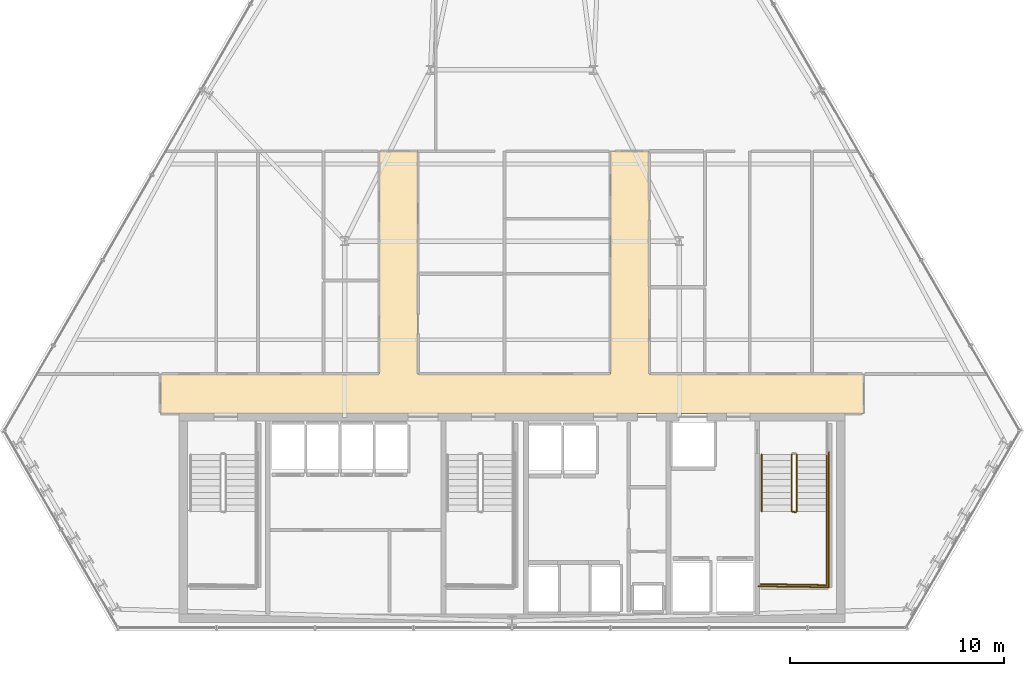
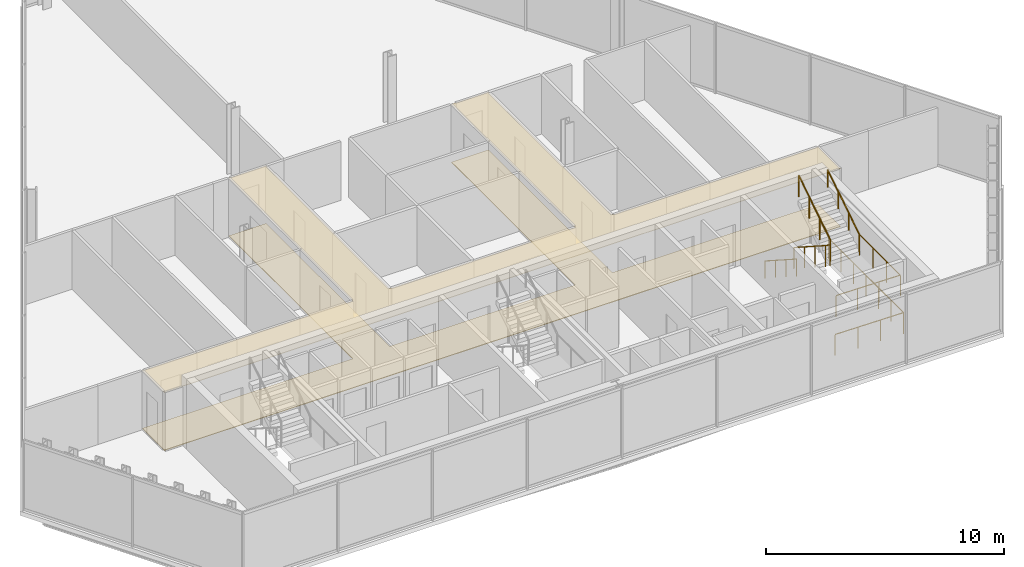
# One storey, part 32 of 33: 6 railings, 2 coverings.
"""IFC4 building model written with IfcOpenShell, lengths in metres."""

from ifc_helpers import new_model, si_unit, direction, frame, origin, origin_2d, place, context, subcontext, project, spatial, polyline, circle, outline, extrude, material, layer, layer_set, type_object, element, save


model = new_model("IFC4")

# Units and contexts
model_context = context("Model", 3, precision=1e-05, world=origin(), true_north=direction((0.0, 1.0)))
body_context = subcontext(model_context, "Body", "Model", "MODEL_VIEW")
ifc_project = project(units=[si_unit("LENGTHUNIT", "METRE"), si_unit("AREAUNIT", "SQUARE_METRE"), si_unit("VOLUMEUNIT", "CUBIC_METRE"), si_unit("PLANEANGLEUNIT", "RADIAN"), si_unit("MASSUNIT", "GRAM", prefix="KILO")], contexts=[model_context])

# Site, building, storey
site_placement = place(None, origin())
site = spatial("IfcSite", under=ifc_project, at=site_placement, CompositionType="ELEMENT")
building_placement = place(site_placement, origin())
building = spatial("IfcBuilding", under=site, at=building_placement, Name="Ndaravel Arena Tower", CompositionType="ELEMENT")
storey_placement = place(building_placement, frame((0.0, 0.0, 165.0)))
storey = spatial("IfcBuildingStorey", under=building, at=storey_placement, Name="L39", CompositionType="ELEMENT", Elevation=165.0)

# Coverings
ifc_material_1 = material(Name="Acoustic Ceiling Tile", Category="finish")
ifc_layer_1 = layer(ifc_material_1, 0.02490234375)
ifc_layer_set_1 = layer_set([ifc_layer_1], Name="Acoustic Ceiling Tile")
covering_type_1 = type_object("IfcCoveringType", Name="COV-CEIL-AC600", PredefinedType="CEILING", material=ifc_layer_set_1)
covering_1_placement = place(storey_placement, frame((0.0, 0.0, 2.98046875)))
element("IfcCovering", 1, at=covering_1_placement, inside=storey, type_object=covering_type_1, Name="L39 Corridor Acoustic Ceiling", PredefinedType="CEILING", context=body_context, shape_type="SweptSolid", body=[
    extrude(outline(polyline([(58.39990234375, 17.0), (48.39990234375, 17.0), (48.39990234375, 27.39990234375), (46.60009765625, 27.39990234375), (46.60009765625, 17.0), (37.60009765625, 17.0), (37.60009765625, 27.39990234375), (35.800048828125, 27.39990234375), (35.800048828125, 17.0), (25.60009765625, 17.0), (25.60009765625, 15.14990234375), (58.39990234375, 15.14990234375), (58.39990234375, 17.0)])), origin(), (0.0, 0.0, 1.0), 0.025146484375),
])
ifc_material_2 = material(Name="Terrazzo", Category="stone")
ifc_layer_2 = layer(ifc_material_2, 0.030029296875)
ifc_layer_set_2 = layer_set([ifc_layer_2], Name="Terrazzo")
covering_type_2 = type_object("IfcCoveringType", Name="COV-FLOOR-TERRAZZO", PredefinedType="FLOORING", material=ifc_layer_set_2)
covering_2_placement = place(storey_placement, origin())
element("IfcCovering", 2, at=covering_2_placement, inside=storey, type_object=covering_type_2, Name="L39 Corridor Terrazzo Flooring", PredefinedType="FLOORING", context=body_context, shape_type="SweptSolid", body=[
    extrude(outline(polyline([(58.39990234375, 17.0), (48.39990234375, 17.0), (48.39990234375, 27.39990234375), (46.60009765625, 27.39990234375), (46.60009765625, 17.0), (37.60009765625, 17.0), (37.60009765625, 27.39990234375), (35.800048828125, 27.39990234375), (35.800048828125, 17.0), (25.60009765625, 17.0), (25.60009765625, 15.14990234375), (58.39990234375, 15.14990234375), (58.39990234375, 17.0)])), origin(), (0.0, 0.0, 1.0), 0.030029296875),
])

# Railings
ifc_material_3 = material(Name="Steel S355", Category="steel")
ifc_layer_3 = layer(ifc_material_3, 0.06005859375)
ifc_layer_set_3 = layer_set([ifc_layer_3], Name="Steel S355")
railing_type_1 = type_object("IfcRailingType", Name="RAIL-STAIR-GD1100", PredefinedType="GUARDRAIL", material=ifc_layer_set_3)
railing_1_placement = place(storey_placement, frame((55.050048828125, 13.25, 0.18994140625)))
element("IfcRailing", 3, at=railing_1_placement, inside=storey, type_object=railing_type_1, Name="L39 ST-3 stair guard 1", PredefinedType="GUARDRAIL", context=body_context, shape_type="SweptSolid", body=[
    extrude(circle(Radius=0.02392578125, at=origin_2d()), frame((0.0, 0.0, 1.076171875), z_axis=(0.0, -0.840723540582, 0.54146461409), x_axis=(1.0, 0.0, 0.0)), (0.0, 0.0, 1.0), 3.157958984375),
    extrude(circle(Radius=0.02392578125, at=origin_2d()), frame((0.0, -2.655029296875, 2.7861328125), z_axis=(0.966993988697, -0.254799187253, 0.0), x_axis=(0.254799187253, 0.966993988697, 0.0)), (0.0, 0.0, 1.0), 0.196533203125),
    extrude(circle(Radius=0.02099609375, at=origin_2d()), origin(), (0.0, 0.0, 1.0), 1.052001953125),
    extrude(circle(Radius=0.02099609375, at=origin_2d()), frame((0.0, -0.885009765625, 0.570068359375)), (0.0, 0.0, 1.0), 1.052001953125),
    extrude(circle(Radius=0.02099609375, at=origin_2d()), frame((0.0, -1.77001953125, 1.139892578125)), (0.0, 0.0, 1.0), 1.052001953125),
    extrude(circle(Radius=0.02099609375, at=origin_2d()), frame((0.0, -2.655029296875, 1.7099609375)), (0.0, 0.0, 1.0), 1.052001953125),
    extrude(circle(Radius=0.02099609375, at=origin_2d()), frame((0.18994140625, -2.705078125, 1.7099609375)), (0.0, 0.0, 1.0), 1.052001953125),
])
railing_2_placement = place(storey_placement, frame((56.68994140625, 10.594970703125, 1.89990234375)))
element("IfcRailing", 4, at=railing_2_placement, inside=storey, type_object=railing_type_1, Name="L39 ST-3 stair guard 2", PredefinedType="GUARDRAIL", context=body_context, shape_type="SweptSolid", body=[
    extrude(circle(Radius=0.02392578125, at=origin_2d()), frame((0.0, 0.0, 1.076171875), z_axis=(0.0, -1.0, 0.0), x_axis=(1.0, 0.0, 0.0)), (0.0, 0.0, 1.0), 3.445068359375),
    extrude(circle(Radius=0.02392578125, at=origin_2d()), frame((0.0, -3.445068359375, 1.076171875), z_axis=(-0.999868840623, 0.016195726322, 0.0), x_axis=(-0.016195726322, -0.999868840623, 0.0)), (0.0, 0.0, 1.0), 3.09033203125),
    extrude(circle(Radius=0.02099609375, at=origin_2d()), origin(), (0.0, 0.0, 1.0), 1.052001953125),
    extrude(circle(Radius=0.02099609375, at=origin_2d()), frame((0.0, -1.1484375, 0.0)), (0.0, 0.0, 1.0), 1.052001953125),
    extrude(circle(Radius=0.02099609375, at=origin_2d()), frame((0.0, -2.296630859375, 0.0)), (0.0, 0.0, 1.0), 1.052001953125),
    extrude(circle(Radius=0.02099609375, at=origin_2d()), frame((0.0, -3.445068359375, 0.0)), (0.0, 0.0, 1.0), 1.052001953125),
    extrude(circle(Radius=0.02099609375, at=origin_2d()), frame((-1.030029296875, -3.428466796875, 0.0)), (0.0, 0.0, 1.0), 1.052001953125),
    extrude(circle(Radius=0.02099609375, at=origin_2d()), frame((-2.059814453125, -3.41162109375, 0.0)), (0.0, 0.0, 1.0), 1.052001953125),
    extrude(circle(Radius=0.02099609375, at=origin_2d()), frame((-3.08984375, -3.39501953125, 0.0)), (0.0, 0.0, 1.0), 1.052001953125),
])
railing_3_placement = place(storey_placement, frame((55.2900390625, 10.594970703125, 2.090087890625)))
element("IfcRailing", 5, at=railing_3_placement, inside=storey, type_object=railing_type_1, Name="L39 ST-3 stair guard 3", PredefinedType="GUARDRAIL", context=body_context, shape_type="SweptSolid", body=[
    extrude(circle(Radius=0.02392578125, at=origin_2d()), frame((0.0, 0.0, 1.076171875), z_axis=(0.0, 0.840723540582, 0.54146461409), x_axis=(-1.0, 0.0, 0.0)), (0.0, 0.0, 1.0), 3.157958984375),
    extrude(circle(Radius=0.02099609375, at=origin_2d()), origin(), (0.0, 0.0, 1.0), 1.052001953125),
    extrude(circle(Radius=0.02099609375, at=origin_2d()), frame((0.0, 0.885009765625, 0.570068359375)), (0.0, 0.0, 1.0), 1.052001953125),
    extrude(circle(Radius=0.02099609375, at=origin_2d()), frame((0.0, 1.77001953125, 1.139892578125)), (0.0, 0.0, 1.0), 1.052001953125),
    extrude(circle(Radius=0.02099609375, at=origin_2d()), frame((0.0, 2.655029296875, 1.7099609375)), (0.0, 0.0, 1.0), 1.052001953125),
])
railing_4_placement = place(storey_placement, frame((56.7900390625, 13.35009765625, 0.0)))
element("IfcRailing", 6, at=railing_4_placement, inside=storey, type_object=railing_type_1, Name="L39 ST-3 stair guard 6", PredefinedType="GUARDRAIL", context=body_context, shape_type="SweptSolid", body=[
    extrude(circle(Radius=0.02392578125, at=origin_2d()), frame((0.0, 0.0, 1.076171875), z_axis=(0.0, -1.0, 0.0), x_axis=(1.0, 0.0, 0.0)), (0.0, 0.0, 1.0), 6.300048828125),
    extrude(circle(Radius=0.02392578125, at=origin_2d()), frame((0.0, -6.300048828125, 1.076171875), z_axis=(-0.99988431412, 0.015210469308, 0.0), x_axis=(-0.015210469308, -0.99988431412, 0.0)), (0.0, 0.0, 1.0), 3.29052734375),
    extrude(circle(Radius=0.02099609375, at=origin_2d()), origin(), (0.0, 0.0, 1.0), 1.052001953125),
    extrude(circle(Radius=0.02099609375, at=origin_2d()), frame((0.0, -1.050048828125, 0.0)), (0.0, 0.0, 1.0), 1.052001953125),
    extrude(circle(Radius=0.02099609375, at=origin_2d()), frame((0.0, -2.10009765625, 0.0)), (0.0, 0.0, 1.0), 1.052001953125),
    extrude(circle(Radius=0.02099609375, at=origin_2d()), frame((0.0, -3.14990234375, 0.0)), (0.0, 0.0, 1.0), 1.052001953125),
    extrude(circle(Radius=0.02099609375, at=origin_2d()), frame((0.0, -4.199951171875, 0.0)), (0.0, 0.0, 1.0), 1.052001953125),
    extrude(circle(Radius=0.02099609375, at=origin_2d()), frame((0.0, -5.25, 0.0)), (0.0, 0.0, 1.0), 1.052001953125),
    extrude(circle(Radius=0.02099609375, at=origin_2d()), frame((0.0, -6.300048828125, 0.0)), (0.0, 0.0, 1.0), 1.052001953125),
    extrude(circle(Radius=0.02099609375, at=origin_2d()), frame((-1.0966796875, -6.283447265625, 0.0)), (0.0, 0.0, 1.0), 1.052001953125),
    extrude(circle(Radius=0.02099609375, at=origin_2d()), frame((-2.193359375, -6.2666015625, 0.0)), (0.0, 0.0, 1.0), 1.052001953125),
    extrude(circle(Radius=0.02099609375, at=origin_2d()), frame((-3.2900390625, -6.25, 0.0)), (0.0, 0.0, 1.0), 1.052001953125),
])
ifc_material_4 = material(Name="Steel S355", Category="steel")
ifc_layer_4 = layer(ifc_material_4, 0.050048828125)
ifc_layer_set_4 = layer_set([ifc_layer_4], Name="Steel S355")
railing_type_2 = type_object("IfcRailingType", Name="RAIL-STAIR-HR920", PredefinedType="HANDRAIL", material=ifc_layer_set_4)
railing_5_placement = place(storey_placement, frame((53.64990234375, 13.25, 0.18994140625)))
element("IfcRailing", 7, at=railing_5_placement, inside=storey, type_object=railing_type_2, Name="L39 ST-3 stair handrail 1", PredefinedType="HANDRAIL", context=body_context, shape_type="SweptSolid", body=[
    extrude(circle(Radius=0.02392578125, at=origin_2d()), frame((0.0, 0.0, 0.8759765625), z_axis=(0.0, -0.840723540582, 0.54146461409), x_axis=(1.0, 0.0, 0.0)), (0.0, 0.0, 1.0), 3.157958984375),
    extrude(circle(Radius=0.02099609375, at=origin_2d()), origin(), (0.0, 0.0, 1.0), 0.851806640625),
    extrude(circle(Radius=0.02099609375, at=origin_2d()), frame((0.0, -0.885009765625, 0.570068359375)), (0.0, 0.0, 1.0), 0.851806640625),
    extrude(circle(Radius=0.02099609375, at=origin_2d()), frame((0.0, -1.77001953125, 1.139892578125)), (0.0, 0.0, 1.0), 0.851806640625),
    extrude(circle(Radius=0.02099609375, at=origin_2d()), frame((0.0, -2.655029296875, 1.7099609375)), (0.0, 0.0, 1.0), 0.851806640625),
])
railing_6_placement = place(storey_placement, frame((56.68994140625, 10.594970703125, 2.090087890625)))
element("IfcRailing", 8, at=railing_6_placement, inside=storey, type_object=railing_type_2, Name="L39 ST-3 stair handrail 2", PredefinedType="HANDRAIL", context=body_context, shape_type="SweptSolid", body=[
    extrude(circle(Radius=0.02392578125, at=origin_2d()), frame((0.0, 0.0, 0.8759765625), z_axis=(0.0, 0.840723540582, 0.54146461409), x_axis=(-1.0, 0.0, 0.0)), (0.0, 0.0, 1.0), 3.157958984375),
    extrude(circle(Radius=0.02099609375, at=origin_2d()), origin(), (0.0, 0.0, 1.0), 0.851806640625),
    extrude(circle(Radius=0.02099609375, at=origin_2d()), frame((0.0, 0.885009765625, 0.570068359375)), (0.0, 0.0, 1.0), 0.851806640625),
    extrude(circle(Radius=0.02099609375, at=origin_2d()), frame((0.0, 1.77001953125, 1.139892578125)), (0.0, 0.0, 1.0), 0.851806640625),
    extrude(circle(Radius=0.02099609375, at=origin_2d()), frame((0.0, 2.655029296875, 1.7099609375)), (0.0, 0.0, 1.0), 0.851806640625),
])

save(model, "model.ifc")
